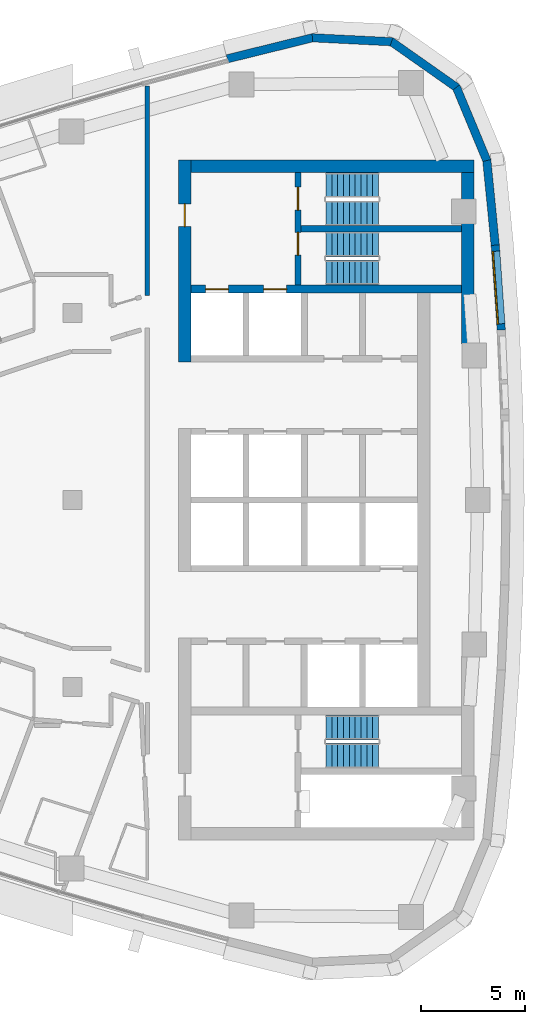
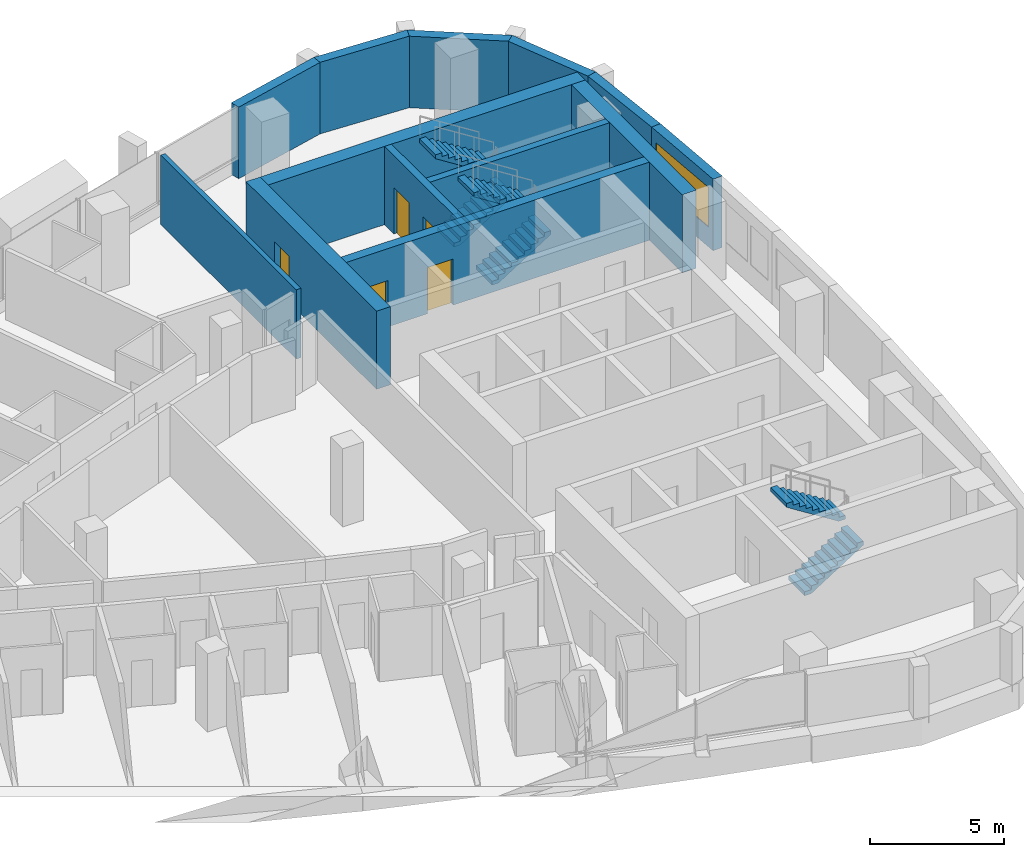
# One storey, part 12 of 16: 13 walls, 6 stair flights, 5 doors, 1 window, 6 openings, 3 elements without a shape of their own.
"""IFC4 building model written with IfcOpenShell, lengths in metres."""

from ifc_helpers import new_model, si_unit, direction, frame, frame_2d, origin, place, context, subcontext, project, spatial, polyline, rectangle, outline, extrude, material, layer, layer_set, type_object, element, fill, aggregate, save


model = new_model("IFC4")

# Units and contexts
model_context = context("Model", 3, precision=1e-05, world=origin(), true_north=direction((0.0, 1.0)))
body_context = subcontext(model_context, "Body", "Model", "MODEL_VIEW")
ifc_project = project(units=[si_unit("LENGTHUNIT", "METRE"), si_unit("AREAUNIT", "SQUARE_METRE"), si_unit("VOLUMEUNIT", "CUBIC_METRE"), si_unit("PLANEANGLEUNIT", "RADIAN"), si_unit("MASSUNIT", "GRAM", prefix="KILO")], contexts=[model_context])

# Site, building, storey
site_placement = place(None, origin())
site = spatial("IfcSite", under=ifc_project, at=site_placement, CompositionType="ELEMENT")
building_placement = place(site_placement, origin())
building = spatial("IfcBuilding", under=site, at=building_placement, Name="Ostrand Prow Hotel Tower", CompositionType="ELEMENT")
storey_placement = place(building_placement, frame((0.0, 0.0, 252.75)))
storey = spatial("IfcBuildingStorey", under=building, at=storey_placement, Name="L64", CompositionType="ELEMENT", Elevation=252.75)

# Wall, openings, doors
ifc_material_1 = material(Name="Concrete C50/60", Category="concrete")
ifc_layer_1 = layer(ifc_material_1, 0.300048828125)
ifc_layer_set_1 = layer_set([ifc_layer_1], Name="Concrete C50/60")
wall_type_1 = type_object("IfcWallType", Name="Core wall 300 C50/60", PredefinedType="SHEAR", material=ifc_layer_set_1)
wall_1_placement = place(storey_placement, frame((55.85009765625, 10.35009765625, 0.0), z_axis=(0.0, 0.0, 1.0), x_axis=(0.0, 1.0, 0.0)))
wall_1 = element("IfcWall", 1, at=wall_1_placement, inside=storey, type_object=wall_type_1, Name="Core wall PW-VN", PredefinedType="SHEAR", context=body_context, shape_type="SweptSolid", body=[
    extrude(rectangle(XDim=5.39990234375, YDim=0.300048828125, at=frame_2d((2.699951171875, 0.0))), origin(), (0.0, 0.0, 1.0), 3.550048828125),
])
opening_1_placement = place(wall_1_placement, frame((1.429931640625, 0.0, 0.0)))
opening_1 = element("IfcOpeningElement", 2, at=opening_1_placement, cuts=wall_1, Name="Opening FD1", PredefinedType="OPENING", context=body_context, shape_type="SweptSolid", body=[
    extrude(rectangle(XDim=1.10009765625, YDim=2.10009765625, at=frame_2d((0.550048828125, 1.050048828125))), frame((0.0, 0.159912109375, 0.0), z_axis=(0.0, -1.0, 0.0), x_axis=(1.0, 0.0, 0.0)), (0.0, 0.0, 1.0), 0.320068359375),
])
opening_2_placement = place(wall_1_placement, frame((3.60009765625, 0.0, 0.0)))
opening_2 = element("IfcOpeningElement", 3, at=opening_2_placement, cuts=wall_1, Name="Opening FD1", PredefinedType="OPENING", context=body_context, shape_type="SweptSolid", body=[
    extrude(rectangle(XDim=1.10009765625, YDim=2.10009765625, at=frame_2d((0.550048828125, 1.050048828125))), frame((0.0, 0.159912109375, 0.0), z_axis=(0.0, -1.0, 0.0), x_axis=(1.0, 0.0, 0.0)), (0.0, 0.0, 1.0), 0.320068359375),
])
ifc_material_2 = material(Name="Steel fire door", Category="steel")
door_type_1 = type_object("IfcDoorType", Name="Fire door 1100 EI120", OperationType="SINGLE_SWING_RIGHT", PredefinedType="DOOR", material=ifc_material_2)
door_1_placement = place(opening_1_placement, origin())
door_1 = element("IfcDoor", 4, at=door_1_placement, inside=storey, type_object=door_type_1, Name="FIRE DOOR", OperationType="SINGLE_SWING_RIGHT", OverallHeight=2.10009765625, OverallWidth=1.10009765625, PredefinedType="DOOR", context=body_context, shape_type="SweptSolid", body=[
    extrude(rectangle(XDim=1.10009765625, YDim=2.10009765625, at=frame_2d((0.550048828125, 1.050048828125))), frame((0.0, 0.02490234375, 0.0), z_axis=(0.0, -1.0, 0.0), x_axis=(1.0, 0.0, 0.0)), (0.0, 0.0, 1.0), 0.050048828125),
])
fill(opening_1, door_1)
door_2_placement = place(opening_2_placement, origin())
door_2 = element("IfcDoor", 5, at=door_2_placement, inside=storey, type_object=door_type_1, Name="FIRE DOOR", OperationType="SINGLE_SWING_RIGHT", OverallHeight=2.10009765625, OverallWidth=1.10009765625, PredefinedType="DOOR", context=body_context, shape_type="SweptSolid", body=[
    extrude(rectangle(XDim=1.10009765625, YDim=2.10009765625, at=frame_2d((0.550048828125, 1.050048828125))), frame((0.0, 0.02490234375, 0.0), z_axis=(0.0, -1.0, 0.0), x_axis=(1.0, 0.0, 0.0)), (0.0, 0.0, 1.0), 0.050048828125),
])
fill(opening_2, door_2)

# Wall
wall_2_placement = place(storey_placement, frame((56.0, 13.050048828125, 0.0), z_axis=(0.0, 0.0, 1.0), x_axis=(1.0, 0.0, 0.0)))
element("IfcWall", 6, at=wall_2_placement, inside=storey, type_object=wall_type_1, Name="Core wall PW-ST13", PredefinedType="SHEAR", context=body_context, shape_type="SweptSolid", body=[
    extrude(rectangle(XDim=7.719970703125, YDim=0.300048828125, at=frame_2d((3.85986328125, 0.0))), origin(), (0.0, 0.0, 1.0), 3.550048828125),
])

# Wall, openings, doors
ifc_material_3 = material(Name="Concrete C50/60", Category="concrete")
ifc_layer_2 = layer(ifc_material_3, 0.39990234375)
ifc_layer_set_2 = layer_set([ifc_layer_2], Name="Concrete C50/60")
wall_type_2 = type_object("IfcWallType", Name="Core wall 400 C50/60", PredefinedType="SHEAR", material=ifc_layer_set_2)
wall_3_placement = place(storey_placement, frame((50.699951171875, 10.14990234375, 0.0), z_axis=(0.0, 0.0, 1.0), x_axis=(1.0, 0.0, 0.0)))
wall_3 = element("IfcWall", 7, at=wall_3_placement, inside=storey, type_object=wall_type_2, Name="Core wall PW-BN", PredefinedType="SHEAR", context=body_context, shape_type="SweptSolid", body=[
    extrude(rectangle(XDim=13.02001953125, YDim=0.39990234375, at=frame_2d((6.510009765625, 0.0))), origin(), (0.0, 0.0, 1.0), 3.550048828125),
])
opening_3_placement = place(wall_3_placement, frame((0.699951171875, 0.0, 0.0)))
opening_3 = element("IfcOpeningElement", 8, at=opening_3_placement, cuts=wall_3, Name="Opening LD", PredefinedType="OPENING", context=body_context, shape_type="SweptSolid", body=[
    extrude(rectangle(XDim=1.10009765625, YDim=2.10009765625, at=frame_2d((0.550048828125, 1.050048828125))), frame((0.0, 0.2099609375, 0.0), z_axis=(0.0, -1.0, 0.0), x_axis=(1.0, 0.0, 0.0)), (0.0, 0.0, 1.0), 0.419921875),
])
opening_4_placement = place(wall_3_placement, frame((3.5, 0.0, 0.0)))
opening_4 = element("IfcOpeningElement", 9, at=opening_4_placement, cuts=wall_3, Name="Opening LD", PredefinedType="OPENING", context=body_context, shape_type="SweptSolid", body=[
    extrude(rectangle(XDim=1.10009765625, YDim=2.10009765625, at=frame_2d((0.550048828125, 1.050048828125))), frame((0.0, 0.2099609375, 0.0), z_axis=(0.0, -1.0, 0.0), x_axis=(1.0, 0.0, 0.0)), (0.0, 0.0, 1.0), 0.419921875),
])
ifc_material_4 = material(Name="Stainless steel door", Category="steel")
door_type_2 = type_object("IfcDoorType", Name="Lift landing door 1100", OperationType="DOUBLE_DOOR_SLIDING", PredefinedType="DOOR", material=ifc_material_4)
door_3_placement = place(opening_3_placement, origin())
door_3 = element("IfcDoor", 10, at=door_3_placement, inside=storey, type_object=door_type_2, Name="LIFT LANDING DOOR", OperationType="DOUBLE_DOOR_SLIDING", OverallHeight=2.10009765625, OverallWidth=1.10009765625, PredefinedType="DOOR", context=body_context, shape_type="SweptSolid", body=[
    extrude(rectangle(XDim=1.10009765625, YDim=2.10009765625, at=frame_2d((0.550048828125, 1.050048828125))), frame((0.0, 0.02490234375, 0.0), z_axis=(0.0, -1.0, 0.0), x_axis=(1.0, 0.0, 0.0)), (0.0, 0.0, 1.0), 0.050048828125),
])
fill(opening_3, door_3)
door_4_placement = place(opening_4_placement, origin())
door_4 = element("IfcDoor", 11, at=door_4_placement, inside=storey, type_object=door_type_2, Name="LIFT LANDING DOOR", OperationType="DOUBLE_DOOR_SLIDING", OverallHeight=2.10009765625, OverallWidth=1.10009765625, PredefinedType="DOOR", context=body_context, shape_type="SweptSolid", body=[
    extrude(rectangle(XDim=1.10009765625, YDim=2.10009765625, at=frame_2d((0.550048828125, 1.050048828125))), frame((0.0, 0.02490234375, 0.0), z_axis=(0.0, -1.0, 0.0), x_axis=(1.0, 0.0, 0.0)), (0.0, 0.0, 1.0), 0.050048828125),
])
fill(opening_4, door_4)

# Wall, opening, door
ifc_material_5 = material(Name="Concrete C50/60", Category="concrete")
ifc_layer_3 = layer(ifc_material_5, 0.60009765625)
ifc_layer_set_3 = layer_set([ifc_layer_3], Name="Concrete C50/60")
wall_type_3 = type_object("IfcWallType", Name="Core wall 600 C50/60", PredefinedType="SHEAR", material=ifc_layer_set_3)
wall_4_placement = place(storey_placement, frame((50.39990234375, 6.64990234375, 0.0), z_axis=(0.0, 0.0, 1.0), x_axis=(0.0, 1.0, 0.0)))
wall_4 = element("IfcWall", 12, at=wall_4_placement, inside=storey, type_object=wall_type_3, Name="Core wall CW-W-N", PredefinedType="SHEAR", context=body_context, shape_type="SweptSolid", body=[
    extrude(rectangle(XDim=9.7001953125, YDim=0.60009765625, at=frame_2d((4.85009765625, 0.0))), origin(), (0.0, 0.0, 1.0), 3.550048828125),
])
opening_5_placement = place(wall_4_placement, frame((6.5, 0.0, 0.0)))
opening_5 = element("IfcOpeningElement", 13, at=opening_5_placement, cuts=wall_4, Name="Opening FD1", PredefinedType="OPENING", context=body_context, shape_type="SweptSolid", body=[
    extrude(rectangle(XDim=1.10009765625, YDim=2.10009765625, at=frame_2d((0.550048828125, 1.050048828125))), frame((0.0, 0.31005859375, 0.0), z_axis=(0.0, -1.0, 0.0), x_axis=(1.0, 0.0, 0.0)), (0.0, 0.0, 1.0), 0.6201171875),
])
door_5_placement = place(opening_5_placement, origin())
door_5 = element("IfcDoor", 14, at=door_5_placement, inside=storey, type_object=door_type_1, Name="FIRE DOOR", OperationType="SINGLE_SWING_RIGHT", OverallHeight=2.10009765625, OverallWidth=1.10009765625, PredefinedType="DOOR", context=body_context, shape_type="SweptSolid", body=[
    extrude(rectangle(XDim=1.10009765625, YDim=2.10009765625, at=frame_2d((0.550048828125, 1.050048828125))), frame((0.0, 0.02490234375, 0.0), z_axis=(0.0, -1.0, 0.0), x_axis=(1.0, 0.0, 0.0)), (0.0, 0.0, 1.0), 0.050048828125),
])
fill(opening_5, door_5)

# Walls
wall_5_placement = place(storey_placement, frame((50.699951171875, 16.050048828125, 0.0), z_axis=(0.0, 0.0, 1.0), x_axis=(1.0, 0.0, 0.0)))
element("IfcWall", 15, at=wall_5_placement, inside=storey, type_object=wall_type_3, Name="Core wall CW-N", PredefinedType="SHEAR", context=body_context, shape_type="SweptSolid", body=[
    extrude(rectangle(XDim=13.6201171875, YDim=0.60009765625, at=frame_2d((6.81005859375, 0.0))), origin(), (0.0, 0.0, 1.0), 3.550048828125),
])
wall_6_placement = place(storey_placement, frame((64.02001953125, 7.502197265625, 0.0), z_axis=(0.0, 0.0, 1.0), x_axis=(0.0, 1.0, 0.0)))
element("IfcWall", 16, at=wall_6_placement, inside=storey, type_object=wall_type_3, Name="Core wall CW-E-N", PredefinedType="SHEAR", context=body_context, shape_type="SweptSolid", body=[
    extrude(rectangle(XDim=8.247802734375, YDim=0.60009765625, at=frame_2d((4.1240234375, 0.0))), origin(), (0.0, 0.0, 1.0), 3.550048828125),
])
ifc_material_6 = material(Name="Plasterboard partition")
ifc_layer_4 = layer(ifc_material_6, 0.199951171875)
ifc_layer_set_4 = layer_set([ifc_layer_4], Name="Plasterboard partition")
wall_type_4 = type_object("IfcWallType", Name="Partition 200 corridor wall", PredefinedType="PARTITIONING", material=ifc_layer_set_4)
wall_7_placement = place(storey_placement, frame((48.594970703125, 19.929443359375, 0.0), z_axis=(0.0, 0.0, 1.0), x_axis=(0.0, -1.0, 0.0)))
element("IfcWall", 17, at=wall_7_placement, inside=storey, type_object=wall_type_4, Name="CORRIDOR WALL", PredefinedType="PARTITIONING", context=body_context, shape_type="SweptSolid", body=[
    extrude(rectangle(XDim=10.092529296875, YDim=0.199951171875, at=frame_2d((5.04638671875, 0.0))), origin(), (0.0, 0.0, 1.0), 3.14990234375),
])

# Wall, opening, window
ifc_material_7 = material(Name="Precast concrete C40/50", Category="concrete")
ifc_layer_5 = layer(ifc_material_7, 0.39990234375)
ifc_layer_set_5 = layer_set([ifc_layer_5], Name="Precast concrete C40/50")
wall_type_5 = type_object("IfcWallType", Name="Stone-faced precast wall 400 mm", PredefinedType="NOTDEFINED", material=ifc_layer_set_5)
wall_8_placement = place(storey_placement, frame((65.630615234375, 8.181640625, 0.0), z_axis=(0.0, 0.0, 1.0), x_axis=(-0.070623905352, 0.997503014528, 0.0)))
wall_8 = element("IfcWall", 18, at=wall_8_placement, inside=storey, type_object=wall_type_5, Name="Stone-faced wall back 11", PredefinedType="NOTDEFINED", context=body_context, shape_type="SweptSolid", body=[
    extrude(outline(polyline([(-0.002685546875, -0.199951171875), (4.095703125, -0.199951171875), (4.09033203125, 0.199951171875), (0.002685546875, 0.199951171875), (-0.002685546875, -0.199951171875)])), origin(), (0.0, 0.0, 1.0), 3.25),
])
opening_6_placement = place(wall_8_placement, frame((0.29638671875, 0.0, 0.89990234375)))
opening_6 = element("IfcOpeningElement", 19, at=opening_6_placement, cuts=wall_8, Name="Opening WS3-35", PredefinedType="OPENING", context=body_context, shape_type="SweptSolid", body=[
    extrude(rectangle(XDim=3.5, YDim=1.800048828125, at=frame_2d((1.75, 0.89990234375))), frame((0.0, 0.2099609375, 0.0), z_axis=(0.0, -1.0, 0.0), x_axis=(1.0, 0.0, 0.0)), (0.0, 0.0, 1.0), 0.419921875),
])
ifc_material_8 = material(Name="Insulated glass in bronze frame", Category="glass")
window_type = type_object("IfcWindowType", Name="Strip window 3500x1800", PartitioningType="SINGLE_PANEL", PredefinedType="WINDOW", material=ifc_material_8)
window_placement = place(opening_6_placement, origin())
window = element("IfcWindow", 20, at=window_placement, inside=storey, type_object=window_type, Name="Window back 11.1", OverallHeight=1.800048828125, OverallWidth=3.5, PartitioningType="SINGLE_PANEL", PredefinedType="WINDOW", context=body_context, shape_type="SweptSolid", body=[
    extrude(rectangle(XDim=3.5, YDim=1.800048828125, at=frame_2d((1.75, 0.89990234375))), frame((0.0, 0.169921875, 0.0), z_axis=(0.0, -1.0, 0.0), x_axis=(1.0, 0.0, 0.0)), (0.0, 0.0, 1.0), 0.06005859375),
])
fill(opening_6, window)

# Walls
wall_9_placement = place(storey_placement, frame((65.341552734375, 12.264404296875, 0.0), z_axis=(0.0, 0.0, 1.0), x_axis=(-0.098718218066, 0.995115427185, 0.0)))
element("IfcWall", 21, at=wall_9_placement, inside=storey, type_object=wall_type_5, Name="Stone-faced wall back 12", PredefinedType="NOTDEFINED", context=body_context, shape_type="SweptSolid", body=[
    extrude(outline(polyline([(-0.002685546875, -0.199951171875), (4.122802734375, -0.199951171875), (4.063232421875, 0.199951171875), (0.002685546875, 0.199951171875), (-0.002685546875, -0.199951171875)])), origin(), (0.0, 0.0, 1.0), 3.25),
])
wall_10_placement = place(storey_placement, frame((64.9375, 16.33740234375, 0.0), z_axis=(0.0, 0.0, 1.0), x_axis=(-0.3844335483, 0.923152667191, 0.0)))
element("IfcWall", 22, at=wall_10_placement, inside=storey, type_object=wall_type_5, Name="Stone-faced wall back 13", PredefinedType="NOTDEFINED", context=body_context, shape_type="SweptSolid", body=[
    extrude(outline(polyline([(-0.02978515625, -0.199951171875), (3.871337890625, -0.199951171875), (3.755615234375, 0.199951171875), (0.02978515625, 0.199951171875), (-0.02978515625, -0.199951171875)])), origin(), (0.0, 0.0, 1.0), 3.25),
])
wall_11_placement = place(storey_placement, frame((63.471435546875, 19.85791015625, 0.0), z_axis=(0.0, 0.0, 1.0), x_axis=(-0.817942545532, 0.575299915009, 0.0)))
element("IfcWall", 23, at=wall_11_placement, inside=storey, type_object=wall_type_5, Name="Stone-faced wall back 14", PredefinedType="NOTDEFINED", context=body_context, shape_type="SweptSolid", body=[
    extrude(outline(polyline([(-0.057861328125, -0.199951171875), (3.871337890625, -0.199951171875), (3.755615234375, 0.199951171875), (0.057861328125, 0.199951171875), (-0.057861328125, -0.199951171875)])), origin(), (0.0, 0.0, 1.0), 3.25),
])
wall_12_placement = place(storey_placement, frame((60.352294921875, 22.0517578125, 0.0), z_axis=(0.0, 0.0, 1.0), x_axis=(-0.998758875872, 0.049806705046, 0.0)))
element("IfcWall", 24, at=wall_12_placement, inside=storey, type_object=wall_type_5, Name="Stone-faced wall back 15", PredefinedType="NOTDEFINED", context=body_context, shape_type="SweptSolid", body=[
    extrude(outline(polyline([(-0.057861328125, -0.199951171875), (3.8427734375, -0.199951171875), (3.7841796875, 0.199951171875), (0.057861328125, 0.199951171875), (-0.057861328125, -0.199951171875)])), origin(), (0.0, 0.0, 1.0), 3.25),
])
wall_13_placement = place(storey_placement, frame((56.54345703125, 22.24169921875, 0.0), z_axis=(0.0, 0.0, 1.0), x_axis=(-0.970902342456, -0.23947576373, 0.0)))
element("IfcWall", 25, at=wall_13_placement, inside=storey, type_object=wall_type_5, Name="Stone-faced wall back 16", PredefinedType="NOTDEFINED", context=body_context, shape_type="SweptSolid", body=[
    extrude(outline(polyline([(-0.029296875, -0.199951171875), (4.225830078125, -0.199951171875), (4.225830078125, 0.199951171875), (0.029296875, 0.199951171875), (-0.029296875, -0.199951171875)])), origin(), (0.0, 0.0, 1.0), 3.25),
])

# Stair, stair flights
ifc_material_9 = material(Name="Concrete C40/50", Category="concrete")
stair_type = type_object("IfcStairType", Name="Exit stair 1200 upper zone", PredefinedType="HALF_TURN_STAIR", material=ifc_material_9)
stair_1_placement = place(storey_placement, origin())
stair_1 = element("IfcStair", 26, at=stair_1_placement, inside=storey, type_object=stair_type, Name="L64 ST1C", PredefinedType="HALF_TURN_STAIR")
ifc_material_10 = material(Name="Concrete C40/50", Category="concrete")
stair_flight_type = type_object("IfcStairFlightType", Name="Stair flight 1200 concrete", PredefinedType="STRAIGHT", material=ifc_material_10)
stair_flight_1_placement = place(storey_placement, frame((57.199951171875, 10.949951171875, 0.0), z_axis=(0.0, 0.0, 1.0), x_axis=(1.0, 0.0, 0.0)))
stair_flight_1 = element("IfcStairFlight", 27, at=stair_flight_1_placement, type_object=stair_flight_type, Name="ST1C flight 1", NumberOfRisers=10, NumberOfTreads=9, PredefinedType="STRAIGHT", RiserHeight=0.1775, TreadLength=0.28, context=body_context, shape_type="SweptSolid", body=[
    extrude(outline(polyline([(0.0, 0.0), (0.0, 0.177490234375), (0.280029296875, 0.177490234375), (0.280029296875, 0.35498046875), (0.56005859375, 0.35498046875), (0.56005859375, 0.532470703125), (0.840087890625, 0.532470703125), (0.840087890625, 0.7099609375), (1.1201171875, 0.7099609375), (1.1201171875, 0.887451171875), (1.39990234375, 0.887451171875), (1.39990234375, 1.06494140625), (1.679931640625, 1.06494140625), (1.679931640625, 1.242431640625), (1.9599609375, 1.242431640625), (1.9599609375, 1.419921875), (2.239990234375, 1.419921875), (2.239990234375, 1.597412109375), (2.52001953125, 1.597412109375), (2.52001953125, 1.77490234375), (2.52001953125, 1.419921875), (0.280029296875, 0.0), (0.0, 0.0)])), frame((0.0, 0.60009765625, 0.0), z_axis=(0.0, -1.0, 0.0), x_axis=(1.0, 0.0, 0.0)), (0.0, 0.0, 1.0), 1.199951171875),
])
stair_flight_2_placement = place(storey_placement, frame((59.719970703125, 12.300048828125, 1.77490234375), z_axis=(0.0, 0.0, 1.0), x_axis=(-1.0, 0.0, 0.0)))
stair_flight_2 = element("IfcStairFlight", 28, at=stair_flight_2_placement, type_object=stair_flight_type, Name="ST1C flight 2", NumberOfRisers=10, NumberOfTreads=9, PredefinedType="STRAIGHT", RiserHeight=0.1775, TreadLength=0.28, context=body_context, shape_type="SweptSolid", body=[
    extrude(outline(polyline([(0.0, 0.0), (0.0, 0.177490234375), (0.280029296875, 0.177490234375), (0.280029296875, 0.35498046875), (0.56005859375, 0.35498046875), (0.56005859375, 0.532470703125), (0.840087890625, 0.532470703125), (0.840087890625, 0.7099609375), (1.1201171875, 0.7099609375), (1.1201171875, 0.887451171875), (1.39990234375, 0.887451171875), (1.39990234375, 1.06494140625), (1.679931640625, 1.06494140625), (1.679931640625, 1.242431640625), (1.9599609375, 1.242431640625), (1.9599609375, 1.419921875), (2.239990234375, 1.419921875), (2.239990234375, 1.597412109375), (2.52001953125, 1.597412109375), (2.52001953125, 1.77490234375), (2.52001953125, 1.419921875), (0.280029296875, 0.0), (0.0, 0.0)])), frame((0.0, 0.60009765625, 0.0), z_axis=(0.0, -1.0, 0.0), x_axis=(1.0, 0.0, 0.0)), (0.0, 0.0, 1.0), 1.199951171875),
])
aggregate(stair_1, [stair_flight_1, stair_flight_2])

stair_2_placement = place(storey_placement, origin())
stair_2 = element("IfcStair", 29, at=stair_2_placement, inside=storey, type_object=stair_type, Name="L64 ST3C", PredefinedType="HALF_TURN_STAIR")
stair_flight_3_placement = place(storey_placement, frame((57.199951171875, 13.800048828125, 0.0), z_axis=(0.0, 0.0, 1.0), x_axis=(1.0, 0.0, 0.0)))
stair_flight_3 = element("IfcStairFlight", 30, at=stair_flight_3_placement, type_object=stair_flight_type, Name="ST3C flight 1", NumberOfRisers=10, NumberOfTreads=9, PredefinedType="STRAIGHT", RiserHeight=0.1775, TreadLength=0.28, context=body_context, shape_type="SweptSolid", body=[
    extrude(outline(polyline([(0.0, 0.0), (0.0, 0.177490234375), (0.280029296875, 0.177490234375), (0.280029296875, 0.35498046875), (0.56005859375, 0.35498046875), (0.56005859375, 0.532470703125), (0.840087890625, 0.532470703125), (0.840087890625, 0.7099609375), (1.1201171875, 0.7099609375), (1.1201171875, 0.887451171875), (1.39990234375, 0.887451171875), (1.39990234375, 1.06494140625), (1.679931640625, 1.06494140625), (1.679931640625, 1.242431640625), (1.9599609375, 1.242431640625), (1.9599609375, 1.419921875), (2.239990234375, 1.419921875), (2.239990234375, 1.597412109375), (2.52001953125, 1.597412109375), (2.52001953125, 1.77490234375), (2.52001953125, 1.419921875), (0.280029296875, 0.0), (0.0, 0.0)])), frame((0.0, 0.60009765625, 0.0), z_axis=(0.0, -1.0, 0.0), x_axis=(1.0, 0.0, 0.0)), (0.0, 0.0, 1.0), 1.199951171875),
])
stair_flight_4_placement = place(storey_placement, frame((59.719970703125, 15.14990234375, 1.77490234375), z_axis=(0.0, 0.0, 1.0), x_axis=(-1.0, 0.0, 0.0)))
stair_flight_4 = element("IfcStairFlight", 31, at=stair_flight_4_placement, type_object=stair_flight_type, Name="ST3C flight 2", NumberOfRisers=10, NumberOfTreads=9, PredefinedType="STRAIGHT", RiserHeight=0.1775, TreadLength=0.28, context=body_context, shape_type="SweptSolid", body=[
    extrude(outline(polyline([(0.0, 0.0), (0.0, 0.177490234375), (0.280029296875, 0.177490234375), (0.280029296875, 0.35498046875), (0.56005859375, 0.35498046875), (0.56005859375, 0.532470703125), (0.840087890625, 0.532470703125), (0.840087890625, 0.7099609375), (1.1201171875, 0.7099609375), (1.1201171875, 0.887451171875), (1.39990234375, 0.887451171875), (1.39990234375, 1.06494140625), (1.679931640625, 1.06494140625), (1.679931640625, 1.242431640625), (1.9599609375, 1.242431640625), (1.9599609375, 1.419921875), (2.239990234375, 1.419921875), (2.239990234375, 1.597412109375), (2.52001953125, 1.597412109375), (2.52001953125, 1.77490234375), (2.52001953125, 1.419921875), (0.280029296875, 0.0), (0.0, 0.0)])), frame((0.0, 0.60009765625, 0.0), z_axis=(0.0, -1.0, 0.0), x_axis=(1.0, 0.0, 0.0)), (0.0, 0.0, 1.0), 1.199951171875),
])
aggregate(stair_2, [stair_flight_3, stair_flight_4])

stair_3_placement = place(storey_placement, origin())
stair_3 = element("IfcStair", 32, at=stair_3_placement, inside=storey, type_object=stair_type, Name="L64 ST2C", PredefinedType="HALF_TURN_STAIR")
stair_flight_5_placement = place(storey_placement, frame((57.199951171875, -12.300048828125, 0.0), z_axis=(0.0, 0.0, 1.0), x_axis=(1.0, 0.0, 0.0)))
stair_flight_5 = element("IfcStairFlight", 33, at=stair_flight_5_placement, type_object=stair_flight_type, Name="ST2C flight 1", NumberOfRisers=10, NumberOfTreads=9, PredefinedType="STRAIGHT", RiserHeight=0.1775, TreadLength=0.28, context=body_context, shape_type="SweptSolid", body=[
    extrude(outline(polyline([(0.0, 0.0), (0.0, 0.177490234375), (0.280029296875, 0.177490234375), (0.280029296875, 0.35498046875), (0.56005859375, 0.35498046875), (0.56005859375, 0.532470703125), (0.840087890625, 0.532470703125), (0.840087890625, 0.7099609375), (1.1201171875, 0.7099609375), (1.1201171875, 0.887451171875), (1.39990234375, 0.887451171875), (1.39990234375, 1.06494140625), (1.679931640625, 1.06494140625), (1.679931640625, 1.242431640625), (1.9599609375, 1.242431640625), (1.9599609375, 1.419921875), (2.239990234375, 1.419921875), (2.239990234375, 1.597412109375), (2.52001953125, 1.597412109375), (2.52001953125, 1.77490234375), (2.52001953125, 1.419921875), (0.280029296875, 0.0), (0.0, 0.0)])), frame((0.0, 0.60009765625, 0.0), z_axis=(0.0, -1.0, 0.0), x_axis=(1.0, 0.0, 0.0)), (0.0, 0.0, 1.0), 1.199951171875),
])
stair_flight_6_placement = place(storey_placement, frame((59.719970703125, -10.949951171875, 1.77490234375), z_axis=(0.0, 0.0, 1.0), x_axis=(-1.0, 0.0, 0.0)))
stair_flight_6 = element("IfcStairFlight", 34, at=stair_flight_6_placement, type_object=stair_flight_type, Name="ST2C flight 2", NumberOfRisers=10, NumberOfTreads=9, PredefinedType="STRAIGHT", RiserHeight=0.1775, TreadLength=0.28, context=body_context, shape_type="SweptSolid", body=[
    extrude(outline(polyline([(0.0, 0.0), (0.0, 0.177490234375), (0.280029296875, 0.177490234375), (0.280029296875, 0.35498046875), (0.56005859375, 0.35498046875), (0.56005859375, 0.532470703125), (0.840087890625, 0.532470703125), (0.840087890625, 0.7099609375), (1.1201171875, 0.7099609375), (1.1201171875, 0.887451171875), (1.39990234375, 0.887451171875), (1.39990234375, 1.06494140625), (1.679931640625, 1.06494140625), (1.679931640625, 1.242431640625), (1.9599609375, 1.242431640625), (1.9599609375, 1.419921875), (2.239990234375, 1.419921875), (2.239990234375, 1.597412109375), (2.52001953125, 1.597412109375), (2.52001953125, 1.77490234375), (2.52001953125, 1.419921875), (0.280029296875, 0.0), (0.0, 0.0)])), frame((0.0, 0.60009765625, 0.0), z_axis=(0.0, -1.0, 0.0), x_axis=(1.0, 0.0, 0.0)), (0.0, 0.0, 1.0), 1.199951171875),
])
aggregate(stair_3, [stair_flight_5, stair_flight_6])

save(model, "model.ifc")
